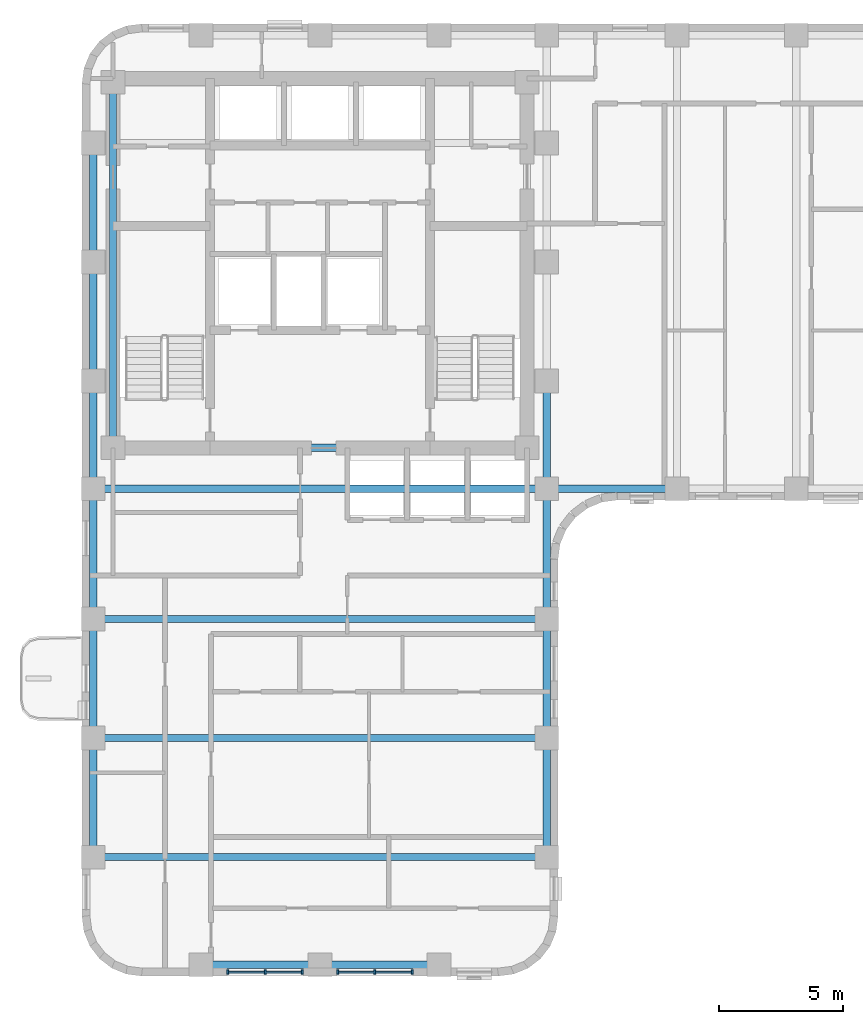
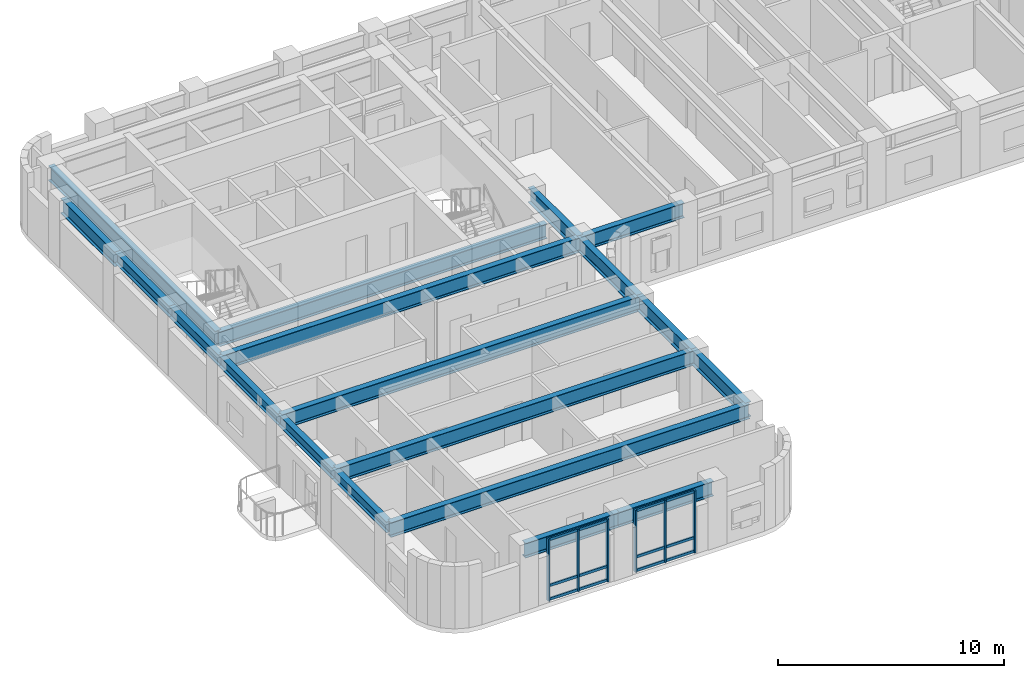
# One storey, part 2 of 11: 19 beams, 18 members, 2 elements without a shape of their own.
"""IFC4 building model written with IfcOpenShell, lengths in metres."""

from ifc_helpers import new_model, si_unit, direction, frame, origin, origin_2d, place, context, subcontext, project, spatial, rectangle, i_section, extrude, material, material_profile, profile_set, type_object, element, aggregate, save


model = new_model("IFC4")

# Units and contexts
model_context = context("Model", 3, precision=1e-05, world=origin(), true_north=direction((0.0, 1.0)))
body_context = subcontext(model_context, "Body", "Model", "MODEL_VIEW")
ifc_project = project(units=[si_unit("LENGTHUNIT", "METRE"), si_unit("AREAUNIT", "SQUARE_METRE"), si_unit("VOLUMEUNIT", "CUBIC_METRE"), si_unit("PLANEANGLEUNIT", "RADIAN"), si_unit("MASSUNIT", "GRAM", prefix="KILO")], contexts=[model_context])

# Site, building, storey
site_placement = place(None, origin())
site = spatial("IfcSite", under=ifc_project, at=site_placement, CompositionType="ELEMENT")
building_placement = place(site_placement, origin())
building = spatial("IfcBuilding", under=site, at=building_placement, Name="Orvandelia Arch Residences", CompositionType="ELEMENT")
storey_placement = place(building_placement, frame((0.0, 0.0, 146.800048828125)))
storey = spatial("IfcBuildingStorey", under=building, at=storey_placement, Name="L38", CompositionType="ELEMENT", Elevation=146.800048828125)

# Beams
ifc_material_1 = material(Name="Structural Steel SM355 (355 MPa)", Category="steel")
ifc_material_profile_1 = material_profile(ifc_material_1, i_section(OverallWidth=0.300048828125, OverallDepth=0.800048828125, WebThickness=0.013916015625, FlangeThickness=0.02587890625, FilletRadius=0.02587890625, at=origin_2d()), Name="Structural Steel SM355 (355 MPa)", Category="steel")
ifc_profile_set_1 = profile_set([ifc_material_profile_1], Name="Structural Steel SM355 (355 MPa)")
beam_type_1 = type_object("IfcBeamType", Name="BM-GRD-H800", PredefinedType="BEAM", material=ifc_profile_set_1)
beam_1_placement = place(storey_placement, frame((5.25, 38.39990234375, 2.9599609375), z_axis=(0.0, 1.0, 0.0), x_axis=(-1.0, 0.0, 0.0)))
element("IfcBeam", 1, at=beam_1_placement, inside=storey, type_object=beam_type_1, Name="Structural Frame Beam L38-NS-006", PredefinedType="BEAM", context=body_context, shape_type="SweptSolid", body=[
    extrude(i_section(OverallWidth=0.300048828125, OverallDepth=0.800048828125, WebThickness=0.013916015625, FlangeThickness=0.02587890625, FilletRadius=0.02587890625, at=origin_2d()), origin(), (0.0, 0.0, 1.0), 4.800048828125),
])
beam_2_placement = place(storey_placement, frame((6.050048828125, 30.89990234375, 2.9599609375), z_axis=(0.0, 1.0, 0.0), x_axis=(-1.0, 0.0, 0.0)))
element("IfcBeam", 2, at=beam_2_placement, inside=storey, type_object=beam_type_1, Name="Structural Frame Beam L38-NS-007", PredefinedType="BEAM", context=body_context, shape_type="SweptSolid", body=[
    extrude(i_section(OverallWidth=0.300048828125, OverallDepth=0.800048828125, WebThickness=0.013916015625, FlangeThickness=0.02587890625, FilletRadius=0.02587890625, at=origin_2d()), origin(), (0.0, 0.0, 1.0), 14.75),
])
for number, where, z_axis, x_axis, name in (
    (3, (23.550048828125, 14.39990234375, 2.9599609375), (0.0, 1.0, 0.0), (-1.0, 0.0, 0.0), "Structural Frame Beam L38-NS-009"),
    (4, (23.550048828125, 19.199951171875, 2.9599609375), (0.0, 1.0, 0.0), (-1.0, 0.0, 0.0), "Structural Frame Beam L38-NS-010"),
):
    element("IfcBeam", number, at=place(storey_placement, frame(where, z_axis=z_axis, x_axis=x_axis)), inside=storey, type_object=beam_type_1, Name=name, PredefinedType="BEAM", context=body_context, shape_type="SweptSolid", body=[
        extrude(i_section(OverallWidth=0.300048828125, OverallDepth=0.800048828125, WebThickness=0.013916015625, FlangeThickness=0.02587890625, FilletRadius=0.02587890625, at=origin_2d()), origin(), (0.0, 0.0, 1.0), 4.800048828125),
    ])
beam_3_placement = place(storey_placement, frame((23.550048828125, 24.0, 2.9599609375), z_axis=(0.0, 1.0, 0.0), x_axis=(-1.0, 0.0, 0.0)))
element("IfcBeam", 5, at=beam_3_placement, inside=storey, type_object=beam_type_1, Name="Structural Frame Beam L38-NS-011", PredefinedType="BEAM", context=body_context, shape_type="SweptSolid", body=[
    extrude(i_section(OverallWidth=0.300048828125, OverallDepth=0.800048828125, WebThickness=0.013916015625, FlangeThickness=0.02587890625, FilletRadius=0.02587890625, at=origin_2d()), origin(), (0.0, 0.0, 1.0), 5.25),
])
beam_4_placement = place(storey_placement, frame((23.550048828125, 29.25, 2.9599609375), z_axis=(0.0, 1.0, 0.0), x_axis=(-1.0, 0.0, 0.0)))
element("IfcBeam", 6, at=beam_4_placement, inside=storey, type_object=beam_type_1, Name="Structural Frame Beam L38-NS-012", PredefinedType="BEAM", context=body_context, shape_type="SweptSolid", body=[
    extrude(i_section(OverallWidth=0.300048828125, OverallDepth=0.800048828125, WebThickness=0.013916015625, FlangeThickness=0.02587890625, FilletRadius=0.02587890625, at=origin_2d()), origin(), (0.0, 0.0, 1.0), 4.35009765625),
])
beam_5_placement = place(storey_placement, frame((9.60009765625, 10.050048828125, 2.9599609375), z_axis=(1.0, 0.0, 0.0), x_axis=(0.0, 1.0, 0.0)))
element("IfcBeam", 7, at=beam_5_placement, inside=storey, type_object=beam_type_1, Name="Structural Frame Girder L38-EW-025", PredefinedType="BEAM", context=body_context, shape_type="SweptSolid", body=[
    extrude(i_section(OverallWidth=0.300048828125, OverallDepth=0.800048828125, WebThickness=0.013916015625, FlangeThickness=0.02587890625, FilletRadius=0.02587890625, at=origin_2d()), origin(), (0.0, 0.0, 1.0), 4.7998046875),
])
beam_6_placement = place(storey_placement, frame((14.39990234375, 10.050048828125, 2.9599609375), z_axis=(1.0, 0.0, 0.0), x_axis=(0.0, 1.0, 0.0)))
element("IfcBeam", 8, at=beam_6_placement, inside=storey, type_object=beam_type_1, Name="Structural Frame Girder L38-EW-026", PredefinedType="BEAM", context=body_context, shape_type="SweptSolid", body=[
    extrude(i_section(OverallWidth=0.300048828125, OverallDepth=0.800048828125, WebThickness=0.013916015625, FlangeThickness=0.02587890625, FilletRadius=0.02587890625, at=origin_2d()), origin(), (0.0, 0.0, 1.0), 4.800048828125),
])
for number, where, z_axis, x_axis, name in (
    (9, (5.25, 14.39990234375, 2.9599609375), (1.0, 0.0, 0.0), (0.0, 1.0, 0.0), "Structural Frame Girder L38-EW-027"),
    (10, (5.25, 19.199951171875, 2.9599609375), (1.0, 0.0, 0.0), (0.0, 1.0, 0.0), "Structural Frame Girder L38-EW-028"),
    (11, (5.25, 24.0, 2.9599609375), (1.0, 0.0, 0.0), (0.0, 1.0, 0.0), "Structural Frame Girder L38-EW-029"),
    (12, (5.25, 29.25, 2.9599609375), (1.0, 0.0, 0.0), (0.0, 1.0, 0.0), "Structural Frame Girder L38-EW-030"),
):
    element("IfcBeam", number, at=place(storey_placement, frame(where, z_axis=z_axis, x_axis=x_axis)), inside=storey, type_object=beam_type_1, Name=name, PredefinedType="BEAM", context=body_context, shape_type="SweptSolid", body=[
        extrude(i_section(OverallWidth=0.300048828125, OverallDepth=0.800048828125, WebThickness=0.013916015625, FlangeThickness=0.02587890625, FilletRadius=0.02587890625, at=origin_2d()), origin(), (0.0, 0.0, 1.0), 18.300048828125),
    ])
beam_7_placement = place(storey_placement, frame((23.550048828125, 29.25, 2.9599609375), z_axis=(1.0, 0.0, 0.0), x_axis=(0.0, 1.0, 0.0)))
element("IfcBeam", 13, at=beam_7_placement, inside=storey, type_object=beam_type_1, Name="Structural Frame Girder L38-EW-031", PredefinedType="BEAM", context=body_context, shape_type="SweptSolid", body=[
    extrude(i_section(OverallWidth=0.300048828125, OverallDepth=0.800048828125, WebThickness=0.013916015625, FlangeThickness=0.02587890625, FilletRadius=0.02587890625, at=origin_2d()), origin(), (0.0, 0.0, 1.0), 5.25),
])
beam_8_placement = place(storey_placement, frame((6.050048828125, 30.89990234375, 2.9599609375), z_axis=(1.0, 0.0, 0.0), x_axis=(0.0, 1.0, 0.0)))
element("IfcBeam", 14, at=beam_8_placement, inside=storey, type_object=beam_type_1, Name="Structural Frame Girder L38-EW-037", PredefinedType="BEAM", context=body_context, shape_type="SweptSolid", body=[
    extrude(i_section(OverallWidth=0.300048828125, OverallDepth=0.800048828125, WebThickness=0.013916015625, FlangeThickness=0.02587890625, FilletRadius=0.02587890625, at=origin_2d()), origin(), (0.0, 0.0, 1.0), 16.699951171875),
])
ifc_material_profile_2 = material_profile(ifc_material_1, i_section(OverallWidth=0.300048828125, OverallDepth=0.587890625, WebThickness=0.011962890625, FlangeThickness=0.02001953125, FilletRadius=0.02197265625, at=origin_2d()), Name="Structural Steel SM355 (355 MPa)", Category="steel")
ifc_profile_set_2 = profile_set([ifc_material_profile_2], Name="Structural Steel SM355 (355 MPa)")
beam_type_2 = type_object("IfcBeamType", Name="BM-SPN-H588", PredefinedType="SPANDREL", material=ifc_profile_set_2)
for number, where, z_axis, x_axis, name in (
    (15, (5.25, 14.39990234375, 3.06591796875), (0.0, 1.0, 0.0), (-1.0, 0.0, 0.0), "Structural Frame Beam L38-NS-001"),
    (16, (5.25, 19.199951171875, 3.06591796875), (0.0, 1.0, 0.0), (-1.0, 0.0, 0.0), "Structural Frame Beam L38-NS-002"),
):
    element("IfcBeam", number, at=place(storey_placement, frame(where, z_axis=z_axis, x_axis=x_axis)), inside=storey, type_object=beam_type_2, Name=name, PredefinedType="SPANDREL", context=body_context, shape_type="SweptSolid", body=[
        extrude(i_section(OverallWidth=0.300048828125, OverallDepth=0.587890625, WebThickness=0.011962890625, FlangeThickness=0.02001953125, FilletRadius=0.02197265625, at=origin_2d()), origin(), (0.0, 0.0, 1.0), 4.800048828125),
    ])
beam_9_placement = place(storey_placement, frame((5.25, 24.0, 3.06591796875), z_axis=(0.0, 1.0, 0.0), x_axis=(-1.0, 0.0, 0.0)))
element("IfcBeam", 17, at=beam_9_placement, inside=storey, type_object=beam_type_2, Name="Structural Frame Beam L38-NS-003", PredefinedType="SPANDREL", context=body_context, shape_type="SweptSolid", body=[
    extrude(i_section(OverallWidth=0.300048828125, OverallDepth=0.587890625, WebThickness=0.011962890625, FlangeThickness=0.02001953125, FilletRadius=0.02197265625, at=origin_2d()), origin(), (0.0, 0.0, 1.0), 5.25),
])
beam_10_placement = place(storey_placement, frame((5.25, 29.25, 3.06591796875), z_axis=(0.0, 1.0, 0.0), x_axis=(-1.0, 0.0, 0.0)))
element("IfcBeam", 18, at=beam_10_placement, inside=storey, type_object=beam_type_2, Name="Structural Frame Beam L38-NS-004", PredefinedType="SPANDREL", context=body_context, shape_type="SweptSolid", body=[
    extrude(i_section(OverallWidth=0.300048828125, OverallDepth=0.587890625, WebThickness=0.011962890625, FlangeThickness=0.02001953125, FilletRadius=0.02197265625, at=origin_2d()), origin(), (0.0, 0.0, 1.0), 4.35009765625),
])
beam_11_placement = place(storey_placement, frame((5.25, 33.60009765625, 3.06591796875), z_axis=(0.0, 1.0, 0.0), x_axis=(-1.0, 0.0, 0.0)))
element("IfcBeam", 19, at=beam_11_placement, inside=storey, type_object=beam_type_2, Name="Structural Frame Beam L38-NS-005", PredefinedType="SPANDREL", context=body_context, shape_type="SweptSolid", body=[
    extrude(i_section(OverallWidth=0.300048828125, OverallDepth=0.587890625, WebThickness=0.011962890625, FlangeThickness=0.02001953125, FilletRadius=0.02197265625, at=origin_2d()), origin(), (0.0, 0.0, 1.0), 4.7998046875),
])

# Curtain wall, members
ifc_material_2 = material(Name="Anodised Bronze Curtain Wall Assembly")
curtain_wall_type = type_object("IfcCurtainWallType", Name="CW-SYS5-CORNER", PredefinedType="NOTDEFINED", material=ifc_material_2)
curtain_wall_1_placement = place(storey_placement, origin())
curtain_wall_1 = element("IfcCurtainWall", 20, at=curtain_wall_1_placement, inside=storey, type_object=curtain_wall_type, Name="Feature Bay Winter-Garden Curtain Wall L38 1", PredefinedType="NOTDEFINED")
ifc_material_3 = material(Name="Anodised Aluminium Alloy 6063-T6", Category="aluminium")
ifc_material_profile_3 = material_profile(ifc_material_3, rectangle(XDim=0.080078125, YDim=0.179931640625, at=origin_2d()), Name="Anodised Aluminium Alloy 6063-T6", Category="aluminium")
ifc_profile_set_3 = profile_set([ifc_material_profile_3], Name="Anodised Aluminium Alloy 6063-T6")
member_type_1 = type_object("IfcMemberType", Name="CW-MULLION-80x160", PredefinedType="MULLION", material=ifc_profile_set_3)
member_1_placement = place(storey_placement, frame((10.679931640625, 9.760009765625, 0.0), z_axis=(0.0, 0.0, 1.0), x_axis=(1.0, 0.0, 0.0)))
member_1 = element("IfcMember", 21, at=member_1_placement, type_object=member_type_1, Name="Curtain Wall Mullion CW-L38-1-M1", PredefinedType="MULLION", context=body_context, shape_type="SweptSolid", body=[
    extrude(rectangle(XDim=0.080078125, YDim=0.179931640625, at=origin_2d()), origin(), (0.0, 0.0, 1.0), 3.35986328125),
])
member_2_placement = place(storey_placement, frame((12.1826171875, 9.760009765625, 0.0), z_axis=(0.0, 0.0, 1.0), x_axis=(1.0, 0.0, 0.0)))
member_2 = element("IfcMember", 22, at=member_2_placement, type_object=member_type_1, Name="Curtain Wall Mullion CW-L38-1-M2", PredefinedType="MULLION", context=body_context, shape_type="SweptSolid", body=[
    extrude(rectangle(XDim=0.080078125, YDim=0.179931640625, at=origin_2d()), origin(), (0.0, 0.0, 1.0), 3.35986328125),
])
member_3_placement = place(storey_placement, frame((13.68505859375, 9.760009765625, 0.0), z_axis=(0.0, 0.0, 1.0), x_axis=(1.0, 0.0, 0.0)))
member_3 = element("IfcMember", 23, at=member_3_placement, type_object=member_type_1, Name="Curtain Wall Mullion CW-L38-1-M3", PredefinedType="MULLION", context=body_context, shape_type="SweptSolid", body=[
    extrude(rectangle(XDim=0.080078125, YDim=0.179931640625, at=origin_2d()), origin(), (0.0, 0.0, 1.0), 3.35986328125),
])

curtain_wall_2_placement = place(storey_placement, origin())
curtain_wall_2 = element("IfcCurtainWall", 24, at=curtain_wall_2_placement, inside=storey, type_object=curtain_wall_type, Name="Feature Bay Winter-Garden Curtain Wall L38 2", PredefinedType="NOTDEFINED")
member_4_placement = place(storey_placement, frame((15.114990234375, 9.760009765625, 0.0), z_axis=(0.0, 0.0, 1.0), x_axis=(1.0, 0.0, 0.0)))
member_4 = element("IfcMember", 25, at=member_4_placement, type_object=member_type_1, Name="Curtain Wall Mullion CW-L38-2-M1", PredefinedType="MULLION", context=body_context, shape_type="SweptSolid", body=[
    extrude(rectangle(XDim=0.080078125, YDim=0.179931640625, at=origin_2d()), origin(), (0.0, 0.0, 1.0), 3.35986328125),
])
member_5_placement = place(storey_placement, frame((16.617431640625, 9.760009765625, 0.0), z_axis=(0.0, 0.0, 1.0), x_axis=(1.0, 0.0, 0.0)))
member_5 = element("IfcMember", 26, at=member_5_placement, type_object=member_type_1, Name="Curtain Wall Mullion CW-L38-2-M2", PredefinedType="MULLION", context=body_context, shape_type="SweptSolid", body=[
    extrude(rectangle(XDim=0.080078125, YDim=0.179931640625, at=origin_2d()), origin(), (0.0, 0.0, 1.0), 3.35986328125),
])
member_6_placement = place(storey_placement, frame((18.1201171875, 9.760009765625, 0.0), z_axis=(0.0, 0.0, 1.0), x_axis=(1.0, 0.0, 0.0)))
member_6 = element("IfcMember", 27, at=member_6_placement, type_object=member_type_1, Name="Curtain Wall Mullion CW-L38-2-M3", PredefinedType="MULLION", context=body_context, shape_type="SweptSolid", body=[
    extrude(rectangle(XDim=0.080078125, YDim=0.179931640625, at=origin_2d()), origin(), (0.0, 0.0, 1.0), 3.35986328125),
])

# Member
ifc_material_profile_4 = material_profile(ifc_material_3, rectangle(XDim=0.080078125, YDim=0.139892578125, at=origin_2d()), Name="Anodised Aluminium Alloy 6063-T6", Category="aluminium")
ifc_profile_set_4 = profile_set([ifc_material_profile_4], Name="Anodised Aluminium Alloy 6063-T6")
member_type_2 = type_object("IfcMemberType", Name="CW-TRANSOM-80x140", PredefinedType="USERDEFINED", material=ifc_profile_set_4)
member_7_placement = place(storey_placement, frame((10.705078125, 9.760009765625, 0.070068359375), z_axis=(1.0, 0.0, 0.0), x_axis=(0.0, 1.0, 0.0)))
member_7 = element("IfcMember", 28, at=member_7_placement, type_object=member_type_2, Name="Curtain Wall Transom CW-L38-1-T1-1", ObjectType="TRANSOM", PredefinedType="USERDEFINED", context=body_context, shape_type="SweptSolid", body=[
    extrude(rectangle(XDim=0.080078125, YDim=0.139892578125, at=origin_2d()), origin(), (0.0, 0.0, 1.0), 1.452392578125),
])

member_8_placement = place(storey_placement, frame((10.705078125, 9.760009765625, 0.806396484375), z_axis=(1.0, 0.0, 0.0), x_axis=(0.0, 1.0, 0.0)))
member_8 = element("IfcMember", 29, at=member_8_placement, type_object=member_type_2, Name="Curtain Wall Transom CW-L38-1-T1-2", ObjectType="TRANSOM", PredefinedType="USERDEFINED", context=body_context, shape_type="SweptSolid", body=[
    extrude(rectangle(XDim=0.080078125, YDim=0.139892578125, at=origin_2d()), origin(), (0.0, 0.0, 1.0), 1.452392578125),
])

member_9_placement = place(storey_placement, frame((10.705078125, 9.760009765625, 3.2900390625), z_axis=(1.0, 0.0, 0.0), x_axis=(0.0, 1.0, 0.0)))
member_9 = element("IfcMember", 30, at=member_9_placement, type_object=member_type_2, Name="Curtain Wall Transom CW-L38-1-T1-3", ObjectType="TRANSOM", PredefinedType="USERDEFINED", context=body_context, shape_type="SweptSolid", body=[
    extrude(rectangle(XDim=0.080078125, YDim=0.139892578125, at=origin_2d()), origin(), (0.0, 0.0, 1.0), 1.452392578125),
])

member_10_placement = place(storey_placement, frame((12.20751953125, 9.760009765625, 0.070068359375), z_axis=(1.0, 0.0, 0.0), x_axis=(0.0, 1.0, 0.0)))
member_10 = element("IfcMember", 31, at=member_10_placement, type_object=member_type_2, Name="Curtain Wall Transom CW-L38-1-T2-1", ObjectType="TRANSOM", PredefinedType="USERDEFINED", context=body_context, shape_type="SweptSolid", body=[
    extrude(rectangle(XDim=0.080078125, YDim=0.139892578125, at=origin_2d()), origin(), (0.0, 0.0, 1.0), 1.452392578125),
])

member_11_placement = place(storey_placement, frame((12.20751953125, 9.760009765625, 0.806396484375), z_axis=(1.0, 0.0, 0.0), x_axis=(0.0, 1.0, 0.0)))
member_11 = element("IfcMember", 32, at=member_11_placement, type_object=member_type_2, Name="Curtain Wall Transom CW-L38-1-T2-2", ObjectType="TRANSOM", PredefinedType="USERDEFINED", context=body_context, shape_type="SweptSolid", body=[
    extrude(rectangle(XDim=0.080078125, YDim=0.139892578125, at=origin_2d()), origin(), (0.0, 0.0, 1.0), 1.452392578125),
])

member_12_placement = place(storey_placement, frame((12.20751953125, 9.760009765625, 3.2900390625), z_axis=(1.0, 0.0, 0.0), x_axis=(0.0, 1.0, 0.0)))
member_12 = element("IfcMember", 33, at=member_12_placement, type_object=member_type_2, Name="Curtain Wall Transom CW-L38-1-T2-3", ObjectType="TRANSOM", PredefinedType="USERDEFINED", context=body_context, shape_type="SweptSolid", body=[
    extrude(rectangle(XDim=0.080078125, YDim=0.139892578125, at=origin_2d()), origin(), (0.0, 0.0, 1.0), 1.452392578125),
])

aggregate(curtain_wall_1, [member_1, member_2, member_3, member_7, member_8, member_9, member_10, member_11, member_12])

member_13_placement = place(storey_placement, frame((15.139892578125, 9.760009765625, 0.070068359375), z_axis=(1.0, 0.0, 0.0), x_axis=(0.0, 1.0, 0.0)))
member_13 = element("IfcMember", 34, at=member_13_placement, type_object=member_type_2, Name="Curtain Wall Transom CW-L38-2-T1-1", ObjectType="TRANSOM", PredefinedType="USERDEFINED", context=body_context, shape_type="SweptSolid", body=[
    extrude(rectangle(XDim=0.080078125, YDim=0.139892578125, at=origin_2d()), origin(), (0.0, 0.0, 1.0), 1.45263671875),
])

member_14_placement = place(storey_placement, frame((15.139892578125, 9.760009765625, 0.806396484375), z_axis=(1.0, 0.0, 0.0), x_axis=(0.0, 1.0, 0.0)))
member_14 = element("IfcMember", 35, at=member_14_placement, type_object=member_type_2, Name="Curtain Wall Transom CW-L38-2-T1-2", ObjectType="TRANSOM", PredefinedType="USERDEFINED", context=body_context, shape_type="SweptSolid", body=[
    extrude(rectangle(XDim=0.080078125, YDim=0.139892578125, at=origin_2d()), origin(), (0.0, 0.0, 1.0), 1.45263671875),
])

member_15_placement = place(storey_placement, frame((15.139892578125, 9.760009765625, 3.2900390625), z_axis=(1.0, 0.0, 0.0), x_axis=(0.0, 1.0, 0.0)))
member_15 = element("IfcMember", 36, at=member_15_placement, type_object=member_type_2, Name="Curtain Wall Transom CW-L38-2-T1-3", ObjectType="TRANSOM", PredefinedType="USERDEFINED", context=body_context, shape_type="SweptSolid", body=[
    extrude(rectangle(XDim=0.080078125, YDim=0.139892578125, at=origin_2d()), origin(), (0.0, 0.0, 1.0), 1.45263671875),
])

member_16_placement = place(storey_placement, frame((16.642578125, 9.760009765625, 0.070068359375), z_axis=(1.0, 0.0, 0.0), x_axis=(0.0, 1.0, 0.0)))
member_16 = element("IfcMember", 37, at=member_16_placement, type_object=member_type_2, Name="Curtain Wall Transom CW-L38-2-T2-1", ObjectType="TRANSOM", PredefinedType="USERDEFINED", context=body_context, shape_type="SweptSolid", body=[
    extrude(rectangle(XDim=0.080078125, YDim=0.139892578125, at=origin_2d()), origin(), (0.0, 0.0, 1.0), 1.452392578125),
])

member_17_placement = place(storey_placement, frame((16.642578125, 9.760009765625, 0.806396484375), z_axis=(1.0, 0.0, 0.0), x_axis=(0.0, 1.0, 0.0)))
member_17 = element("IfcMember", 38, at=member_17_placement, type_object=member_type_2, Name="Curtain Wall Transom CW-L38-2-T2-2", ObjectType="TRANSOM", PredefinedType="USERDEFINED", context=body_context, shape_type="SweptSolid", body=[
    extrude(rectangle(XDim=0.080078125, YDim=0.139892578125, at=origin_2d()), origin(), (0.0, 0.0, 1.0), 1.452392578125),
])

member_18_placement = place(storey_placement, frame((16.642578125, 9.760009765625, 3.2900390625), z_axis=(1.0, 0.0, 0.0), x_axis=(0.0, 1.0, 0.0)))
member_18 = element("IfcMember", 39, at=member_18_placement, type_object=member_type_2, Name="Curtain Wall Transom CW-L38-2-T2-3", ObjectType="TRANSOM", PredefinedType="USERDEFINED", context=body_context, shape_type="SweptSolid", body=[
    extrude(rectangle(XDim=0.080078125, YDim=0.139892578125, at=origin_2d()), origin(), (0.0, 0.0, 1.0), 1.452392578125),
])

aggregate(curtain_wall_2, [member_4, member_5, member_6, member_13, member_14, member_15, member_16, member_17, member_18])

save(model, "model.ifc")
